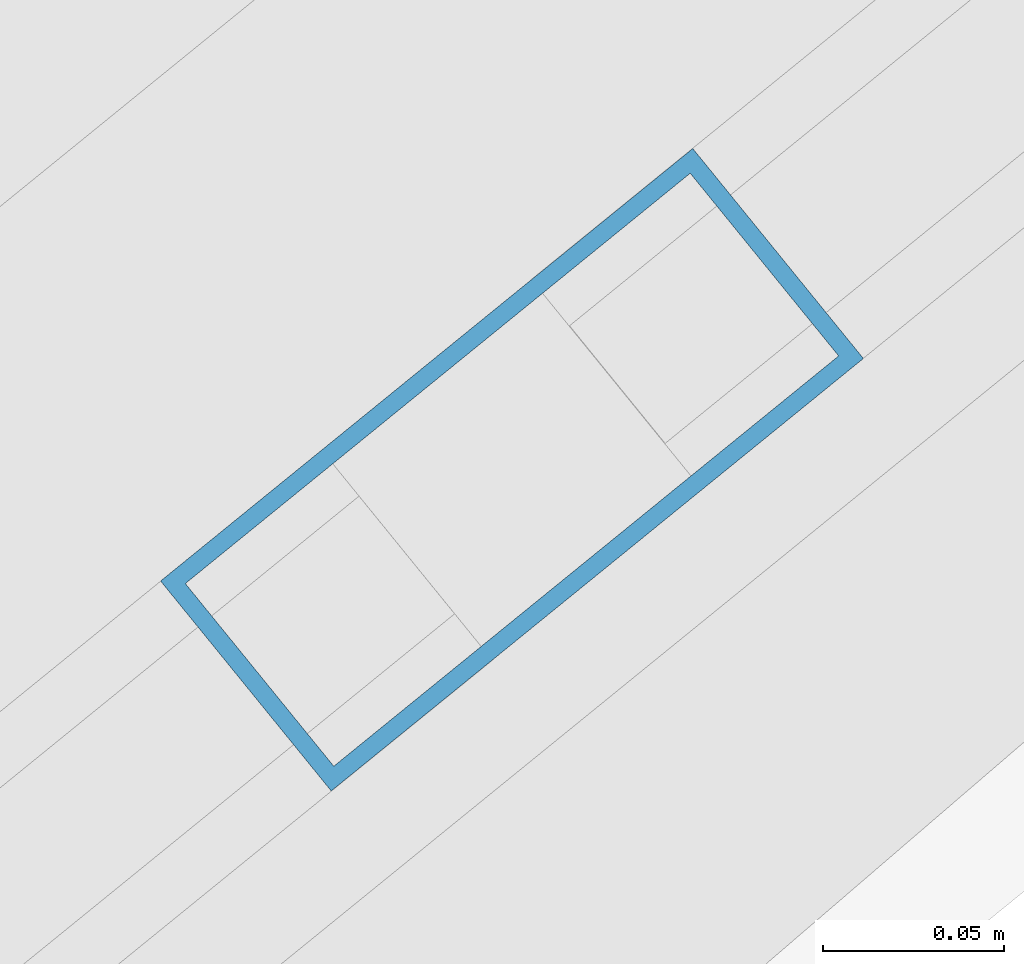
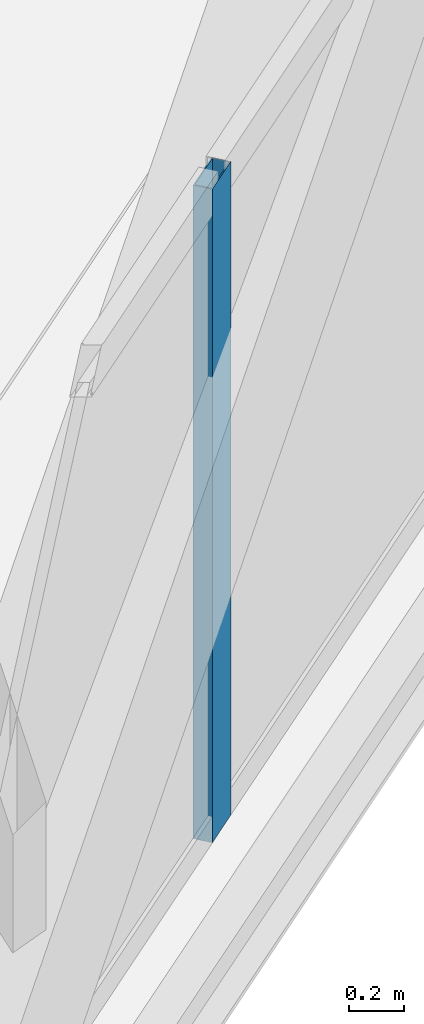
# One storey, part 6 of 36: 1 member, 1 element without a shape of its own.
"""IFC4 building model written with IfcOpenShell, lengths in metres."""

from ifc_helpers import new_model, si_unit, direction, frame, origin, origin_2d, place, context, subcontext, project, spatial, hollow_rectangle, extrude, material, material_profile, profile_set, type_object, element, aggregate, save


model = new_model("IFC4")

# Units and contexts
model_context = context("Model", 3, precision=1e-05, world=origin(), true_north=direction((0.0, 1.0)))
body_context = subcontext(model_context, "Body", "Model", "MODEL_VIEW")
ifc_project = project(units=[si_unit("LENGTHUNIT", "METRE"), si_unit("AREAUNIT", "SQUARE_METRE"), si_unit("VOLUMEUNIT", "CUBIC_METRE"), si_unit("PLANEANGLEUNIT", "RADIAN"), si_unit("MASSUNIT", "GRAM", prefix="KILO")], contexts=[model_context])

# Site, building, storey
site_placement = place(None, origin())
site = spatial("IfcSite", under=ifc_project, at=site_placement, CompositionType="ELEMENT")
building_placement = place(site_placement, origin())
building = spatial("IfcBuilding", under=site, at=building_placement, Name="Haldenkirk Collegiate Tower", CompositionType="ELEMENT")
storey_placement = place(building_placement, frame((0.0, 0.0, 159.449951171875)))
storey = spatial("IfcBuildingStorey", under=building, at=storey_placement, Name="L39", CompositionType="ELEMENT", Elevation=159.449951171875)

# Curtain wall, member
ifc_material = material(Name="Anodised architectural bronze aluminium", Category="aluminium")
curtain_wall_type = type_object("IfcCurtainWallType", Name="CW-SYS2-CONCAVE", PredefinedType="USERDEFINED", material=ifc_material)
curtain_wall_placement = place(storey_placement, origin())
curtain_wall = element("IfcCurtainWall", 1, at=curtain_wall_placement, inside=storey, type_object=curtain_wall_type, Name="L39 South concave recessed bronze-anodised curtain wall", ObjectType="UNITISED CURTAIN WALL", PredefinedType="USERDEFINED")
ifc_material_profile = material_profile(ifc_material, hollow_rectangle(XDim=0.074951171875, YDim=0.18994140625, WallThickness=0.0048828125, at=origin_2d()), Name="CW-MUL-02")
ifc_profile_set = profile_set([ifc_material_profile], Name="Anodised architectural bronze aluminium")
member_type = type_object("IfcMemberType", Name="CW-MUL-02", PredefinedType="MULLION", material=ifc_profile_set)
member_placement = place(storey_placement, frame((43.145751953125, 1.11328125, 0.0), z_axis=(0.0, 0.0, 1.0), x_axis=(0.630673850131, -0.776047997717, 0.0)))
member = element("IfcMember", 2, at=member_placement, type_object=member_type, Name="CW-02 mullion 4", PredefinedType="MULLION", context=body_context, shape_type="SweptSolid", body=[
    extrude(hollow_rectangle(XDim=0.074951171875, YDim=0.18994140625, WallThickness=0.0048828125, at=origin_2d()), origin(), (0.0, 0.0, 1.0), 2.9111328125),
])
aggregate(curtain_wall, [member])

save(model, "model.ifc")
